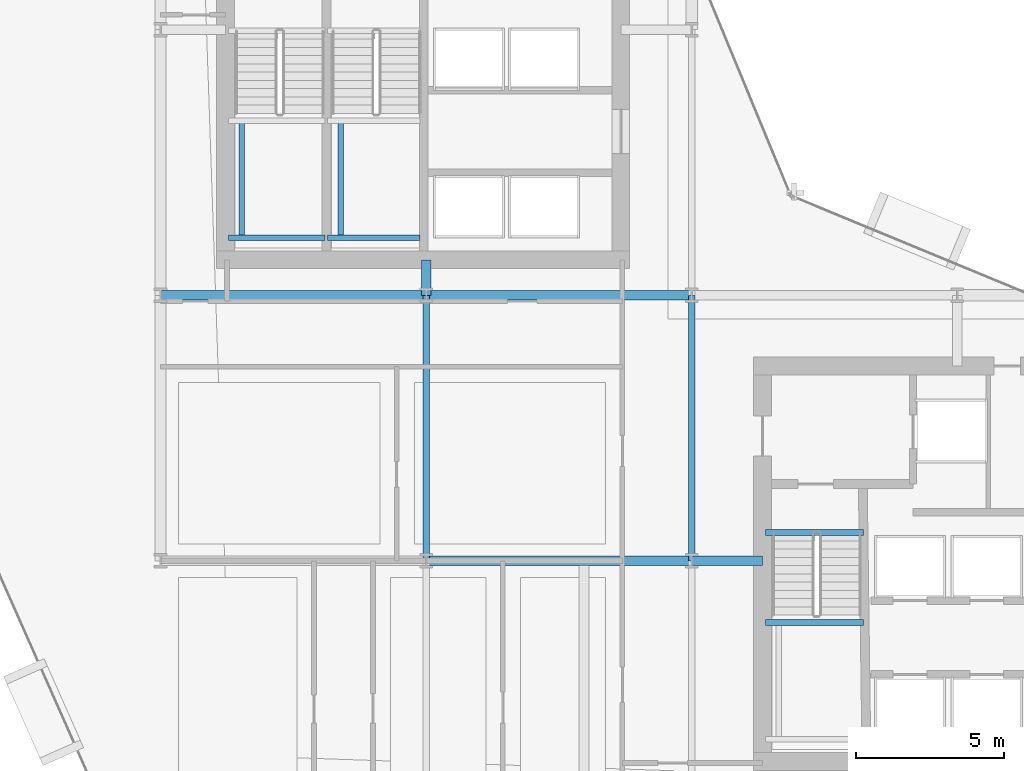
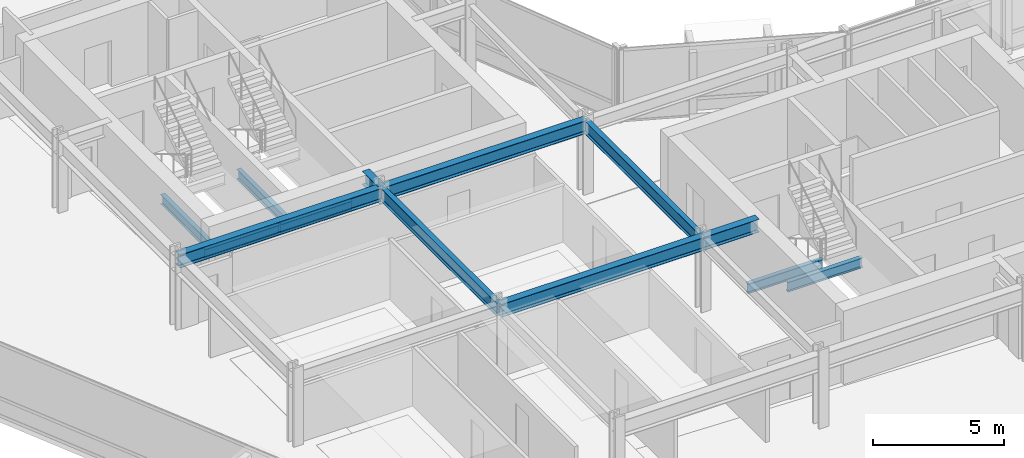
# One storey, part 7 of 34: 13 beams.
"""IFC4 building model written with IfcOpenShell, lengths in metres."""

import ifcopenshell
import ifcopenshell.guid

model = None  # the IFC model being written
_history = None  # IfcOwnerHistory: only IFC2X3 demands one
_inside = {}  # id of a spatial element -> (the spatial element, [elements in it])
_under = {}  # id of a project, library or spatial element -> (it, [spatial elements below it])
_declared = {}  # id of a project -> (the project, [libraries it declares])
_typed = {}  # id of a type object -> (the type object, [elements of that type])
_made_of = {}  # id of a material, layer set ... -> (it, [elements and type objects made of it])


def new_model(schema):
    """Start an empty IFC model of exactly this schema.

    Asked for "IFC4X3", IfcOpenShell would pick the latest addendum, in which some entities
    have other attributes; the version numbers below select the first issue.
    IFC2X3 requires an IfcOwnerHistory on every rooted entity: one is made here for all.
    """
    global model, _history
    if schema == "IFC4X3":
        model = ifcopenshell.file(schema_version=(4, 3, 0, 0))
    else:
        model = ifcopenshell.file(schema=schema)
    _inside.clear()
    _under.clear()
    _declared.clear()
    _typed.clear()
    _made_of.clear()
    _history = None
    if model.schema == "IFC2X3":
        org = make("IfcOrganization", Name="unknown")
        user = make(
            "IfcPersonAndOrganization",
            ThePerson=make("IfcPerson", FamilyName="unknown"),
            TheOrganization=org,
        )
        app = make(
            "IfcApplication",
            ApplicationDeveloper=org,
            Version="unknown",
            ApplicationFullName="unknown",
            ApplicationIdentifier="unknown",
        )
        _history = make(
            "IfcOwnerHistory",
            OwningUser=user,
            OwningApplication=app,
            ChangeAction="ADDED",
            CreationDate=0,
        )
    return model


def make(cls, **values):
    """One entity of the class cls with the attributes given. An attribute that is None is left unset."""
    return model.create_entity(
        cls, **{name: value for name, value in values.items() if value is not None}
    )


def rooted(cls, **values):
    """An entity with a GlobalId (a new one), such as an element, a storey or a relation."""
    return make(cls, GlobalId=ifcopenshell.guid.new(), OwnerHistory=_history, **values)


def si_unit(unit_type, name, prefix=None):
    """IfcSIUnit, for example si_unit("LENGTHUNIT", "METRE", prefix="MILLI")."""
    return make("IfcSIUnit", UnitType=unit_type, Prefix=prefix, Name=name)


def assignment(units):
    """IfcUnitAssignment: the units of a project."""
    return None if units is None else make("IfcUnitAssignment", Units=units)


def point(xyz):
    """IfcCartesianPoint."""
    return None if xyz is None else make("IfcCartesianPoint", Coordinates=xyz)


def direction(xyz):
    """IfcDirection."""
    return None if xyz is None else make("IfcDirection", DirectionRatios=xyz)


def frame(location, z_axis=None, x_axis=None):
    """IfcAxis2Placement3D, a coordinate frame: its origin and axes. An axis left out is left unset."""
    return make(
        "IfcAxis2Placement3D",
        Location=point(location),
        Axis=direction(z_axis),
        RefDirection=direction(x_axis),
    )


def frame_2d(location, x_axis=None):
    """IfcAxis2Placement2D, a coordinate frame in the plane: its origin and x axis."""
    return make(
        "IfcAxis2Placement2D", Location=point(location), RefDirection=direction(x_axis)
    )


def origin():
    """The frame at (0, 0, 0) with its axes left unset."""
    return frame((0.0, 0.0, 0.0))


def origin_2d():
    """The frame at (0, 0) in the plane with its x axis left unset."""
    return frame_2d((0.0, 0.0))


def place(relative_to, where):
    """IfcLocalPlacement: puts the frame where relative to a parent placement (None: the world)."""
    return make(
        "IfcLocalPlacement", PlacementRelTo=relative_to, RelativePlacement=where
    )


def context(
    kind, dimensions, precision=None, world=None, true_north=None, identifier=None
):
    """IfcGeometricRepresentationContext, for example the 3D "Model" context."""
    return make(
        "IfcGeometricRepresentationContext",
        ContextIdentifier=identifier,
        ContextType=kind,
        CoordinateSpaceDimension=dimensions,
        Precision=precision,
        WorldCoordinateSystem=world,
        TrueNorth=true_north,
    )


def subcontext(parent, identifier, kind, view, scale=None):
    """IfcGeometricRepresentationSubContext, for example "Body" below "Model"."""
    return make(
        "IfcGeometricRepresentationSubContext",
        ContextIdentifier=identifier,
        ContextType=kind,
        ParentContext=parent,
        TargetScale=scale,
        TargetView=view,
    )


def project(units=None, contexts=None):
    """IfcProject with its units and contexts."""
    return rooted(
        "IfcProject",
        Name="project",
        RepresentationContexts=contexts,
        UnitsInContext=assignment(units),
    )


def spatial(cls, under=None, at=None, **own):
    """A site, building, storey or space (cls), placed at a placement, below another one or the project."""
    s = rooted(cls, ObjectPlacement=at, **own)
    if under is not None:
        _under.setdefault(under.id(), (under, []))[1].append(s)
    return s


def profile(cls, at=None, kind="AREA", **sizes):
    """A parametric profile (cls). Its sizes go by their IFC names, for example OverallWidth=200.0."""
    return make(cls, ProfileType=kind, Position=at, **sizes)


def i_section(**sizes):
    """IfcIShapeProfileDef."""
    return profile("IfcIShapeProfileDef", **sizes)


def extrude(swept, where, along, depth):
    """IfcExtrudedAreaSolid: the profile swept, set in the frame where, extruded along a direction by depth."""
    return make(
        "IfcExtrudedAreaSolid",
        SweptArea=swept,
        Position=where,
        ExtrudedDirection=direction(along),
        Depth=depth,
    )


def shape(context_of_items, identifier, shape_type, items):
    """IfcShapeRepresentation: the items that make up one representation, for example the "Body"."""
    return make(
        "IfcShapeRepresentation",
        ContextOfItems=context_of_items,
        RepresentationIdentifier=identifier,
        RepresentationType=shape_type,
        Items=items,
    )


def material(Name=None, Category=None):
    """IfcMaterial."""
    return make("IfcMaterial", Name=Name, Category=Category)


def material_profile(
    of_material, cross_section, Name=None, Category=None, Priority=None
):
    """IfcMaterialProfile: a cross section and its material."""
    return make(
        "IfcMaterialProfile",
        Name=Name,
        Material=of_material,
        Profile=cross_section,
        Priority=Priority,
        Category=Category,
    )


def profile_set(profiles, Name=None, composite=None):
    """IfcMaterialProfileSet."""
    return make(
        "IfcMaterialProfileSet",
        Name=Name,
        MaterialProfiles=profiles,
        CompositeProfile=composite,
    )


def made_of(thing, what):
    """Note that an element or type object is made of a material, layer set ...; save() writes the relation."""
    if what is not None:
        _made_of.setdefault(what.id(), (what, []))[1].append(thing)
    return thing


def type_object(cls, material=None, **own):
    """A type object (cls), such as IfcWallType, which elements share."""
    return made_of(rooted(cls, **own), material)


def element(
    cls,
    number,
    at=None,
    inside=None,
    cuts=None,
    type_object=None,
    material=None,
    context=None,
    identifier="Body",
    shape_type=None,
    held_by="IfcProductDefinitionShape",
    body=None,
    shapes=None,
    **own,
):
    """One element of the class cls, such as IfcWall. Its Tag is "e" and its number.

    at: its placement. inside: the storey or other place that contains it. cuts: it is an
    opening in that element (IfcRelVoidsElement). A single representation is given by context,
    identifier, shape_type and body (its items); several are given by shapes. held_by: the class
    of the entity that holds the representations. save() writes the other relations.
    """
    e = rooted(cls, Tag="e%d" % number, ObjectPlacement=at, **own)
    if body is not None:
        shapes = [shape(context, identifier, shape_type, body)]
    if shapes is not None:
        e.Representation = make(held_by, Representations=shapes)
    if inside is not None:
        _inside.setdefault(inside.id(), (inside, []))[1].append(e)
    if cuts is not None:
        rooted(
            "IfcRelVoidsElement", RelatingBuildingElement=cuts, RelatedOpeningElement=e
        )
    if type_object is not None:
        _typed.setdefault(type_object.id(), (type_object, []))[1].append(e)
    return made_of(e, material)


def aggregate(whole, parts):
    """IfcRelAggregates: a whole, such as a stair, and the parts it consists of."""
    return rooted("IfcRelAggregates", RelatingObject=whole, RelatedObjects=parts)


def save(model, path):
    """Write the relations noted so far, then the file.

    IfcRelAggregates (storeys below a building ...), IfcRelContainedInSpatialStructure (elements
    in a storey), IfcRelDefinesByType, IfcRelAssociatesMaterial and IfcRelDeclares: one each for
    every whole, place, type object, material and project.
    """
    for whole, parts in _under.values():
        aggregate(whole, parts)
    for where, things in _inside.values():
        rooted(
            "IfcRelContainedInSpatialStructure",
            RelatedElements=things,
            RelatingStructure=where,
        )
    for kind, things in _typed.values():
        rooted("IfcRelDefinesByType", RelatedObjects=things, RelatingType=kind)
    for what, things in _made_of.values():
        rooted("IfcRelAssociatesMaterial", RelatedObjects=things, RelatingMaterial=what)
    for by, libraries in _declared.values():
        rooted("IfcRelDeclares", RelatingContext=by, RelatedDefinitions=libraries)
    model.write(path)


model = new_model("IFC4")

# Units and contexts
model_context = context("Model", 3, precision=1e-05, world=origin(), true_north=direction((0.0, 1.0)))
body_context = subcontext(model_context, "Body", "Model", "MODEL_VIEW")
ifc_project = project(units=[si_unit("LENGTHUNIT", "METRE"), si_unit("AREAUNIT", "SQUARE_METRE"), si_unit("VOLUMEUNIT", "CUBIC_METRE"), si_unit("PLANEANGLEUNIT", "RADIAN"), si_unit("MASSUNIT", "GRAM", prefix="KILO")], contexts=[model_context])

# Site, building, storey
site_placement = place(None, origin())
site = spatial("IfcSite", under=ifc_project, at=site_placement, CompositionType="ELEMENT")
building_placement = place(site_placement, origin())
building = spatial("IfcBuilding", under=site, at=building_placement, Name="Solvaryn Broadcast Tower", CompositionType="ELEMENT")
storey_placement = place(building_placement, frame((0.0, 0.0, 54.5)))
storey = spatial("IfcBuildingStorey", under=building, at=storey_placement, Name="L12", CompositionType="ELEMENT", Elevation=54.5)

# Beams
ifc_material_1 = material(Name="Steel ASTM A992 Grade 50", Category="steel")
ifc_material_profile_1 = material_profile(ifc_material_1, i_section(OverallWidth=0.323974609375, OverallDepth=0.611083984375, WebThickness=0.0126953125, FlangeThickness=0.01904296875, FilletRadius=0.014892578125, at=origin_2d()))
ifc_profile_set_1 = profile_set([ifc_material_profile_1], Name="Steel ASTM A992 Grade 50")
beam_type_1 = type_object("IfcBeamType", Name="BM-B1-W24X104", PredefinedType="BEAM", material=ifc_profile_set_1)
for number, where, z_axis, x_axis, name in (
    (1, (18.0, 18.0, 3.114501953125), (1.0, 0.0, 0.0), (0.0, 1.0, 0.0), "L12 Primary Beam X (18-27 @ Y=18)"),
    (2, (9.0, 27.0, 3.114501953125), (1.0, 0.0, 0.0), (0.0, 1.0, 0.0), "L12 Primary Beam X (9-18 @ Y=27)"),
    (3, (18.0, 27.0, 3.114501953125), (1.0, 0.0, 0.0), (0.0, 1.0, 0.0), "L12 Primary Beam X (18-27 @ Y=27)"),
):
    element("IfcBeam", number, at=place(storey_placement, frame(where, z_axis=z_axis, x_axis=x_axis)), inside=storey, type_object=beam_type_1, Name=name, PredefinedType="BEAM", context=body_context, shape_type="SweptSolid", body=[
        extrude(i_section(OverallWidth=0.323974609375, OverallDepth=0.611083984375, WebThickness=0.0126953125, FlangeThickness=0.01904296875, FilletRadius=0.014892578125, at=origin_2d()), origin(), (0.0, 0.0, 1.0), 9.0),
    ])
beam_1_placement = place(storey_placement, frame((18.0, 27.0, 3.114501953125), z_axis=(0.0, 1.0, 0.0), x_axis=(-1.0, 0.0, 0.0)))
element("IfcBeam", 4, at=beam_1_placement, inside=storey, type_object=beam_type_1, Name="L12 Core Tie Beam CTW4", PredefinedType="BEAM", context=body_context, shape_type="SweptSolid", body=[
    extrude(i_section(OverallWidth=0.323974609375, OverallDepth=0.611083984375, WebThickness=0.0126953125, FlangeThickness=0.01904296875, FilletRadius=0.014892578125, at=origin_2d()), origin(), (0.0, 0.0, 1.0), 1.199951171875),
])
beam_2_placement = place(storey_placement, frame((27.0, 18.0, 3.114501953125), z_axis=(1.0, 0.0, 0.0), x_axis=(0.0, 1.0, 0.0)))
element("IfcBeam", 5, at=beam_2_placement, inside=storey, type_object=beam_type_1, Name="L12 Core Tie Beam CTE4", PredefinedType="BEAM", context=body_context, shape_type="SweptSolid", body=[
    extrude(i_section(OverallWidth=0.323974609375, OverallDepth=0.611083984375, WebThickness=0.0126953125, FlangeThickness=0.01904296875, FilletRadius=0.014892578125, at=origin_2d()), origin(), (0.0, 0.0, 1.0), 2.39990234375),
])
ifc_material_2 = material(Name="Steel ASTM A992 Grade 50", Category="steel")
ifc_material_profile_2 = material_profile(ifc_material_2, i_section(OverallWidth=0.22802734375, OverallDepth=0.60791015625, WebThickness=0.01123046875, FlangeThickness=0.017333984375, FilletRadius=0.014892578125, at=origin_2d()))
ifc_profile_set_2 = profile_set([ifc_material_profile_2], Name="Steel ASTM A992 Grade 50")
beam_type_2 = type_object("IfcBeamType", Name="BM-B2-W24X76", PredefinedType="BEAM", material=ifc_profile_set_2)
for number, where, z_axis, x_axis, name in (
    (6, (18.0, 18.0, 3.115966796875), (0.0, 1.0, 0.0), (-1.0, 0.0, 0.0), "L12 Primary Beam Y (18-27 @ X=18)"),
    (7, (27.0, 18.0, 3.115966796875), (0.0, 1.0, 0.0), (-1.0, 0.0, 0.0), "L12 Primary Beam Y (18-27 @ X=27)"),
):
    element("IfcBeam", number, at=place(storey_placement, frame(where, z_axis=z_axis, x_axis=x_axis)), inside=storey, type_object=beam_type_2, Name=name, PredefinedType="BEAM", context=body_context, shape_type="SweptSolid", body=[
        extrude(i_section(OverallWidth=0.22802734375, OverallDepth=0.60791015625, WebThickness=0.01123046875, FlangeThickness=0.017333984375, FilletRadius=0.014892578125, at=origin_2d()), origin(), (0.0, 0.0, 1.0), 9.0),
    ])
ifc_material_3 = material(Name="Steel ASTM A992 Grade 50", Category="steel")
ifc_material_profile_3 = material_profile(ifc_material_3, i_section(OverallWidth=0.18994140625, OverallDepth=0.45703125, WebThickness=0.009033203125, FlangeThickness=0.014404296875, FilletRadius=0.011962890625, at=origin_2d()))
ifc_profile_set_3 = profile_set([ifc_material_profile_3], Name="Steel ASTM A992 Grade 50")
beam_type_3 = type_object("IfcBeamType", Name="BM-B4-W18X50", PredefinedType="BEAM", material=ifc_profile_set_3)
beam_3_placement = place(storey_placement, frame((11.300048828125, 28.949951171875, 1.42138671875), z_axis=(1.0, 0.0, 0.0), x_axis=(0.0, 1.0, 0.0)))
element("IfcBeam", 8, at=beam_3_placement, inside=storey, type_object=beam_type_3, Name="L12 ST1 Landing Support Beam 1A", PredefinedType="BEAM", context=body_context, shape_type="SweptSolid", body=[
    extrude(i_section(OverallWidth=0.18994140625, OverallDepth=0.45703125, WebThickness=0.009033203125, FlangeThickness=0.014404296875, FilletRadius=0.011962890625, at=origin_2d()), origin(), (0.0, 0.0, 1.0), 3.280029296875),
])
beam_4_placement = place(storey_placement, frame((11.75, 28.949951171875, 1.42138671875), z_axis=(0.0, 1.0, 0.0), x_axis=(-1.0, 0.0, 0.0)))
element("IfcBeam", 9, at=beam_4_placement, inside=storey, type_object=beam_type_3, Name="L12 ST1 Landing Cross Stringer 1C", PredefinedType="BEAM", context=body_context, shape_type="SweptSolid", body=[
    extrude(i_section(OverallWidth=0.18994140625, OverallDepth=0.45703125, WebThickness=0.009033203125, FlangeThickness=0.014404296875, FilletRadius=0.011962890625, at=origin_2d()), origin(), (0.0, 0.0, 1.0), 3.9599609375),
])
beam_5_placement = place(storey_placement, frame((14.659912109375, 28.949951171875, 1.42138671875), z_axis=(1.0, 0.0, 0.0), x_axis=(0.0, 1.0, 0.0)))
element("IfcBeam", 10, at=beam_5_placement, inside=storey, type_object=beam_type_3, Name="L12 ST2 Landing Support Beam 1A", PredefinedType="BEAM", context=body_context, shape_type="SweptSolid", body=[
    extrude(i_section(OverallWidth=0.18994140625, OverallDepth=0.45703125, WebThickness=0.009033203125, FlangeThickness=0.014404296875, FilletRadius=0.011962890625, at=origin_2d()), origin(), (0.0, 0.0, 1.0), 3.14013671875),
])
beam_6_placement = place(storey_placement, frame((15.110107421875, 28.949951171875, 1.42138671875), z_axis=(0.0, 1.0, 0.0), x_axis=(-1.0, 0.0, 0.0)))
element("IfcBeam", 11, at=beam_6_placement, inside=storey, type_object=beam_type_3, Name="L12 ST2 Landing Cross Stringer 1C", PredefinedType="BEAM", context=body_context, shape_type="SweptSolid", body=[
    extrude(i_section(OverallWidth=0.18994140625, OverallDepth=0.45703125, WebThickness=0.009033203125, FlangeThickness=0.014404296875, FilletRadius=0.011962890625, at=origin_2d()), origin(), (0.0, 0.0, 1.0), 3.9599609375),
])
for number, where, z_axis, x_axis, name in (
    (12, (29.5, 18.9599609375, -0.508544921875), (1.0, 0.0, 0.0), (0.0, 1.0, 0.0), "L12 ST3 Stair Well Trimmer Beam"),
    (13, (29.5, 15.909912109375, 1.42138671875), (1.0, 0.0, 0.0), (0.0, 1.0, 0.0), "L12 ST3 Landing Support Beam 1B"),
):
    element("IfcBeam", number, at=place(storey_placement, frame(where, z_axis=z_axis, x_axis=x_axis)), inside=storey, type_object=beam_type_3, Name=name, PredefinedType="BEAM", context=body_context, shape_type="SweptSolid", body=[
        extrude(i_section(OverallWidth=0.18994140625, OverallDepth=0.45703125, WebThickness=0.009033203125, FlangeThickness=0.014404296875, FilletRadius=0.011962890625, at=origin_2d()), origin(), (0.0, 0.0, 1.0), 3.320068359375),
    ])

save(model, "model.ifc")
